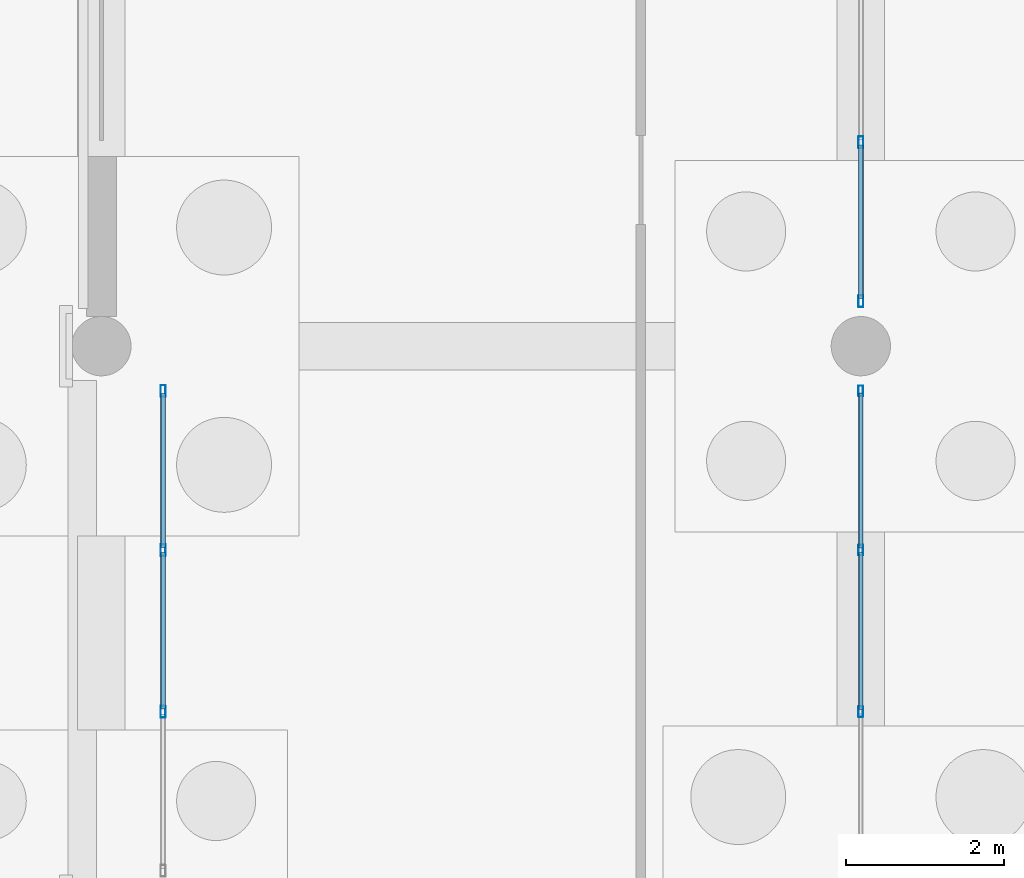
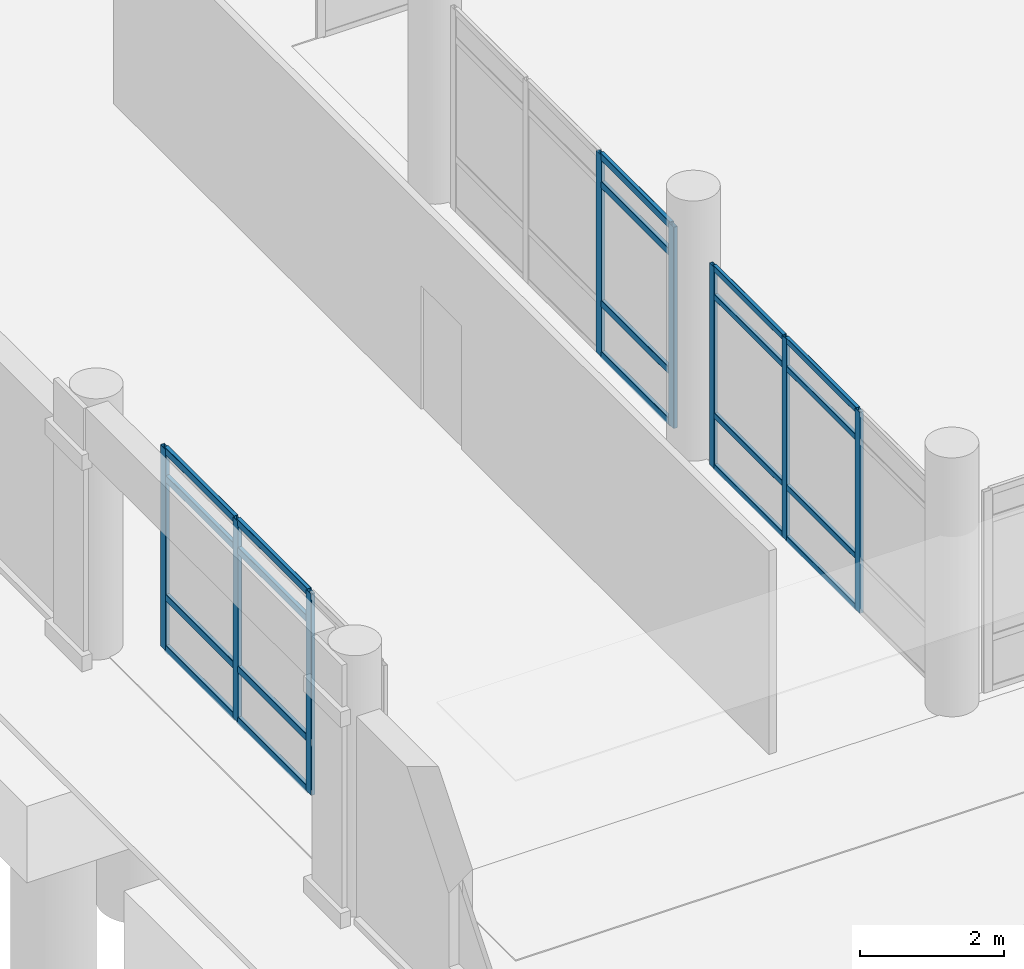
# One storey, part 91 of 196: 28 members, 3 elements without a shape of their own.
"""IFC4 building model written with IfcOpenShell, lengths in metres."""

import ifcopenshell
import ifcopenshell.guid

model = None  # the IFC model being written
_history = None  # IfcOwnerHistory: only IFC2X3 demands one
_inside = {}  # id of a spatial element -> (the spatial element, [elements in it])
_under = {}  # id of a project, library or spatial element -> (it, [spatial elements below it])
_declared = {}  # id of a project -> (the project, [libraries it declares])
_typed = {}  # id of a type object -> (the type object, [elements of that type])
_made_of = {}  # id of a material, layer set ... -> (it, [elements and type objects made of it])


def new_model(schema):
    """Start an empty IFC model of exactly this schema.

    Asked for "IFC4X3", IfcOpenShell would pick the latest addendum, in which some entities
    have other attributes; the version numbers below select the first issue.
    IFC2X3 requires an IfcOwnerHistory on every rooted entity: one is made here for all.
    """
    global model, _history
    if schema == "IFC4X3":
        model = ifcopenshell.file(schema_version=(4, 3, 0, 0))
    else:
        model = ifcopenshell.file(schema=schema)
    _inside.clear()
    _under.clear()
    _declared.clear()
    _typed.clear()
    _made_of.clear()
    _history = None
    if model.schema == "IFC2X3":
        org = make("IfcOrganization", Name="unknown")
        user = make(
            "IfcPersonAndOrganization",
            ThePerson=make("IfcPerson", FamilyName="unknown"),
            TheOrganization=org,
        )
        app = make(
            "IfcApplication",
            ApplicationDeveloper=org,
            Version="unknown",
            ApplicationFullName="unknown",
            ApplicationIdentifier="unknown",
        )
        _history = make(
            "IfcOwnerHistory",
            OwningUser=user,
            OwningApplication=app,
            ChangeAction="ADDED",
            CreationDate=0,
        )
    return model


def make(cls, **values):
    """One entity of the class cls with the attributes given. An attribute that is None is left unset."""
    return model.create_entity(
        cls, **{name: value for name, value in values.items() if value is not None}
    )


def rooted(cls, **values):
    """An entity with a GlobalId (a new one), such as an element, a storey or a relation."""
    return make(cls, GlobalId=ifcopenshell.guid.new(), OwnerHistory=_history, **values)


def si_unit(unit_type, name, prefix=None):
    """IfcSIUnit, for example si_unit("LENGTHUNIT", "METRE", prefix="MILLI")."""
    return make("IfcSIUnit", UnitType=unit_type, Prefix=prefix, Name=name)


def assignment(units):
    """IfcUnitAssignment: the units of a project."""
    return None if units is None else make("IfcUnitAssignment", Units=units)


def point(xyz):
    """IfcCartesianPoint."""
    return None if xyz is None else make("IfcCartesianPoint", Coordinates=xyz)


def direction(xyz):
    """IfcDirection."""
    return None if xyz is None else make("IfcDirection", DirectionRatios=xyz)


def frame(location, z_axis=None, x_axis=None):
    """IfcAxis2Placement3D, a coordinate frame: its origin and axes. An axis left out is left unset."""
    return make(
        "IfcAxis2Placement3D",
        Location=point(location),
        Axis=direction(z_axis),
        RefDirection=direction(x_axis),
    )


def frame_2d(location, x_axis=None):
    """IfcAxis2Placement2D, a coordinate frame in the plane: its origin and x axis."""
    return make(
        "IfcAxis2Placement2D", Location=point(location), RefDirection=direction(x_axis)
    )


def origin():
    """The frame at (0, 0, 0) with its axes left unset."""
    return frame((0.0, 0.0, 0.0))


def origin_2d():
    """The frame at (0, 0) in the plane with its x axis left unset."""
    return frame_2d((0.0, 0.0))


def place(relative_to, where):
    """IfcLocalPlacement: puts the frame where relative to a parent placement (None: the world)."""
    return make(
        "IfcLocalPlacement", PlacementRelTo=relative_to, RelativePlacement=where
    )


def context(
    kind, dimensions, precision=None, world=None, true_north=None, identifier=None
):
    """IfcGeometricRepresentationContext, for example the 3D "Model" context."""
    return make(
        "IfcGeometricRepresentationContext",
        ContextIdentifier=identifier,
        ContextType=kind,
        CoordinateSpaceDimension=dimensions,
        Precision=precision,
        WorldCoordinateSystem=world,
        TrueNorth=true_north,
    )


def subcontext(parent, identifier, kind, view, scale=None):
    """IfcGeometricRepresentationSubContext, for example "Body" below "Model"."""
    return make(
        "IfcGeometricRepresentationSubContext",
        ContextIdentifier=identifier,
        ContextType=kind,
        ParentContext=parent,
        TargetScale=scale,
        TargetView=view,
    )


def project(units=None, contexts=None):
    """IfcProject with its units and contexts."""
    return rooted(
        "IfcProject",
        Name="project",
        RepresentationContexts=contexts,
        UnitsInContext=assignment(units),
    )


def spatial(cls, under=None, at=None, **own):
    """A site, building, storey or space (cls), placed at a placement, below another one or the project."""
    s = rooted(cls, ObjectPlacement=at, **own)
    if under is not None:
        _under.setdefault(under.id(), (under, []))[1].append(s)
    return s


def profile(cls, at=None, kind="AREA", **sizes):
    """A parametric profile (cls). Its sizes go by their IFC names, for example OverallWidth=200.0."""
    return make(cls, ProfileType=kind, Position=at, **sizes)


def hollow_rectangle(**sizes):
    """IfcRectangleHollowProfileDef."""
    return profile("IfcRectangleHollowProfileDef", **sizes)


def extrude(swept, where, along, depth):
    """IfcExtrudedAreaSolid: the profile swept, set in the frame where, extruded along a direction by depth."""
    return make(
        "IfcExtrudedAreaSolid",
        SweptArea=swept,
        Position=where,
        ExtrudedDirection=direction(along),
        Depth=depth,
    )


def shape(context_of_items, identifier, shape_type, items):
    """IfcShapeRepresentation: the items that make up one representation, for example the "Body"."""
    return make(
        "IfcShapeRepresentation",
        ContextOfItems=context_of_items,
        RepresentationIdentifier=identifier,
        RepresentationType=shape_type,
        Items=items,
    )


def material(Name=None, Category=None):
    """IfcMaterial."""
    return make("IfcMaterial", Name=Name, Category=Category)


def layer(
    of_material, thickness, ventilated=None, Name=None, Category=None, Priority=None
):
    """IfcMaterialLayer: one layer of a wall or slab, of a material (None: an air gap)."""
    return make(
        "IfcMaterialLayer",
        Material=of_material,
        LayerThickness=thickness,
        IsVentilated=ventilated,
        Name=Name,
        Category=Category,
        Priority=Priority,
    )


def layer_set(layers, Name=None):
    """IfcMaterialLayerSet."""
    return make("IfcMaterialLayerSet", MaterialLayers=layers, LayerSetName=Name)


def material_profile(
    of_material, cross_section, Name=None, Category=None, Priority=None
):
    """IfcMaterialProfile: a cross section and its material."""
    return make(
        "IfcMaterialProfile",
        Name=Name,
        Material=of_material,
        Profile=cross_section,
        Priority=Priority,
        Category=Category,
    )


def profile_set(profiles, Name=None, composite=None):
    """IfcMaterialProfileSet."""
    return make(
        "IfcMaterialProfileSet",
        Name=Name,
        MaterialProfiles=profiles,
        CompositeProfile=composite,
    )


def made_of(thing, what):
    """Note that an element or type object is made of a material, layer set ...; save() writes the relation."""
    if what is not None:
        _made_of.setdefault(what.id(), (what, []))[1].append(thing)
    return thing


def type_object(cls, material=None, **own):
    """A type object (cls), such as IfcWallType, which elements share."""
    return made_of(rooted(cls, **own), material)


def element(
    cls,
    number,
    at=None,
    inside=None,
    cuts=None,
    type_object=None,
    material=None,
    context=None,
    identifier="Body",
    shape_type=None,
    held_by="IfcProductDefinitionShape",
    body=None,
    shapes=None,
    **own,
):
    """One element of the class cls, such as IfcWall. Its Tag is "e" and its number.

    at: its placement. inside: the storey or other place that contains it. cuts: it is an
    opening in that element (IfcRelVoidsElement). A single representation is given by context,
    identifier, shape_type and body (its items); several are given by shapes. held_by: the class
    of the entity that holds the representations. save() writes the other relations.
    """
    e = rooted(cls, Tag="e%d" % number, ObjectPlacement=at, **own)
    if body is not None:
        shapes = [shape(context, identifier, shape_type, body)]
    if shapes is not None:
        e.Representation = make(held_by, Representations=shapes)
    if inside is not None:
        _inside.setdefault(inside.id(), (inside, []))[1].append(e)
    if cuts is not None:
        rooted(
            "IfcRelVoidsElement", RelatingBuildingElement=cuts, RelatedOpeningElement=e
        )
    if type_object is not None:
        _typed.setdefault(type_object.id(), (type_object, []))[1].append(e)
    return made_of(e, material)


def aggregate(whole, parts):
    """IfcRelAggregates: a whole, such as a stair, and the parts it consists of."""
    return rooted("IfcRelAggregates", RelatingObject=whole, RelatedObjects=parts)


def save(model, path):
    """Write the relations noted so far, then the file.

    IfcRelAggregates (storeys below a building ...), IfcRelContainedInSpatialStructure (elements
    in a storey), IfcRelDefinesByType, IfcRelAssociatesMaterial and IfcRelDeclares: one each for
    every whole, place, type object, material and project.
    """
    for whole, parts in _under.values():
        aggregate(whole, parts)
    for where, things in _inside.values():
        rooted(
            "IfcRelContainedInSpatialStructure",
            RelatedElements=things,
            RelatingStructure=where,
        )
    for kind, things in _typed.values():
        rooted("IfcRelDefinesByType", RelatedObjects=things, RelatingType=kind)
    for what, things in _made_of.values():
        rooted("IfcRelAssociatesMaterial", RelatedObjects=things, RelatingMaterial=what)
    for by, libraries in _declared.values():
        rooted("IfcRelDeclares", RelatingContext=by, RelatedDefinitions=libraries)
    model.write(path)


model = new_model("IFC4")

# Units and contexts
model_context = context("Model", 3, precision=1e-05, world=origin(), true_north=direction((0.0, 1.0)))
body_context = subcontext(model_context, "Body", "Model", "MODEL_VIEW")
ifc_project = project(units=[si_unit("LENGTHUNIT", "METRE"), si_unit("AREAUNIT", "SQUARE_METRE"), si_unit("VOLUMEUNIT", "CUBIC_METRE"), si_unit("PLANEANGLEUNIT", "RADIAN"), si_unit("MASSUNIT", "GRAM", prefix="KILO")], contexts=[model_context])

# Site, building, storey
site_placement = place(None, origin())
site = spatial("IfcSite", under=ifc_project, at=site_placement, CompositionType="ELEMENT")
building_placement = place(site_placement, origin())
building = spatial("IfcBuilding", under=site, at=building_placement, Name="Asteropetra Specialist Clinic", CompositionType="ELEMENT")
storey_placement = place(building_placement, origin())
storey = spatial("IfcBuildingStorey", under=building, at=storey_placement, Name="L00", CompositionType="ELEMENT", Elevation=0.0)

# Curtain wall, members
ifc_material_1 = material(Name="Aluminium and low-E glass", Category="aluminium")
ifc_layer_1 = layer(ifc_material_1, 0.179931640625)
ifc_layer_set_1 = layer_set([ifc_layer_1], Name="Aluminium and low-E glass")
curtain_wall_type_1 = type_object("IfcCurtainWallType", Name="CW-SYS-04", PredefinedType="USERDEFINED", material=ifc_layer_set_1)
curtain_wall_1_placement = place(storey_placement, origin())
curtain_wall_1 = element("IfcCurtainWall", 1, at=curtain_wall_1_placement, inside=storey, type_object=curtain_wall_type_1, Name="Curtain Wall CW-005", ObjectType="UNITISED CURTAIN WALL", PredefinedType="USERDEFINED")
ifc_material_2 = material(Name="Aluminium 6063-T6", Category="aluminium")
ifc_material_profile_1 = material_profile(ifc_material_2, hollow_rectangle(XDim=0.06005859375, YDim=0.135009765625, WallThickness=0.00341796875, InnerFilletRadius=0.00341796875, OuterFilletRadius=0.007080078125, at=origin_2d()), Name="MUL 135x60x3.5")
ifc_profile_set_1 = profile_set([ifc_material_profile_1], Name="Aluminium 6063-T6")
member_type_1 = type_object("IfcMemberType", Name="CWM-135x60", PredefinedType="MULLION", material=ifc_profile_set_1)
member_1_placement = place(storey_placement, frame((9.60009765625, 83.43505859375, 0.0), z_axis=(0.0, 0.0, 1.0), x_axis=(1.0, 0.0, 0.0)))
member_1 = element("IfcMember", 2, at=member_1_placement, type_object=member_type_1, Name="CW-005 mullion 1", PredefinedType="MULLION", context=body_context, shape_type="SweptSolid", body=[
    extrude(hollow_rectangle(XDim=0.06005859375, YDim=0.135009765625, WallThickness=0.00341796875, InnerFilletRadius=0.00341796875, OuterFilletRadius=0.007080078125, at=origin_2d()), origin(), (0.0, 0.0, 1.0), 3.419921875),
])
member_2_placement = place(storey_placement, frame((9.60009765625, 81.421630859375, 0.0), z_axis=(0.0, 0.0, 1.0), x_axis=(1.0, 0.0, 0.0)))
member_2 = element("IfcMember", 3, at=member_2_placement, type_object=member_type_1, Name="CW-005 mullion 2", PredefinedType="MULLION", context=body_context, shape_type="SweptSolid", body=[
    extrude(hollow_rectangle(XDim=0.06005859375, YDim=0.135009765625, WallThickness=0.00341796875, InnerFilletRadius=0.00341796875, OuterFilletRadius=0.007080078125, at=origin_2d()), origin(), (0.0, 0.0, 1.0), 3.419921875),
])
member_3_placement = place(storey_placement, frame((9.60009765625, 79.37841796875, 0.0), z_axis=(0.0, 0.0, 1.0), x_axis=(1.0, 0.0, 0.0)))
member_3 = element("IfcMember", 4, at=member_3_placement, type_object=member_type_1, Name="CW-005 mullion 3", PredefinedType="MULLION", context=body_context, shape_type="SweptSolid", body=[
    extrude(hollow_rectangle(XDim=0.06005859375, YDim=0.135009765625, WallThickness=0.00341796875, InnerFilletRadius=0.00341796875, OuterFilletRadius=0.007080078125, at=origin_2d()), origin(), (0.0, 0.0, 1.0), 3.419921875),
])

ifc_material_3 = material(Name="Aluminium and low-E glass", Category="aluminium")
ifc_layer_2 = layer(ifc_material_3, 0.14990234375)
ifc_layer_set_2 = layer_set([ifc_layer_2], Name="Aluminium and low-E glass")
curtain_wall_type_2 = type_object("IfcCurtainWallType", Name="CW-SYS-05", PredefinedType="USERDEFINED", material=ifc_layer_set_2)
curtain_wall_2_placement = place(storey_placement, origin())
curtain_wall_2 = element("IfcCurtainWall", 5, at=curtain_wall_2_placement, inside=storey, type_object=curtain_wall_type_2, Name="Curtain Wall CW-007", ObjectType="UNITISED CURTAIN WALL", PredefinedType="USERDEFINED")
ifc_material_4 = material(Name="Aluminium 6063-T6", Category="aluminium")
ifc_material_profile_2 = material_profile(ifc_material_4, hollow_rectangle(XDim=0.06494140625, YDim=0.14990234375, WallThickness=0.00390625, InnerFilletRadius=0.00390625, OuterFilletRadius=0.008056640625, at=origin_2d()), Name="MUL 150x65x4.0")
ifc_profile_set_2 = profile_set([ifc_material_profile_2], Name="Aluminium 6063-T6")
member_type_2 = type_object("IfcMemberType", Name="CWM-150x65", PredefinedType="MULLION", material=ifc_profile_set_2)
member_4_placement = place(storey_placement, frame((9.60009765625, 86.578369140625, 0.0), z_axis=(0.0, 0.0, 1.0), x_axis=(1.0, 0.0, 0.0)))
member_4 = element("IfcMember", 6, at=member_4_placement, type_object=member_type_2, Name="CW-007 mullion 3", PredefinedType="MULLION", context=body_context, shape_type="SweptSolid", body=[
    extrude(hollow_rectangle(XDim=0.06494140625, YDim=0.14990234375, WallThickness=0.00390625, InnerFilletRadius=0.00390625, OuterFilletRadius=0.008056640625, at=origin_2d()), origin(), (0.0, 0.0, 1.0), 3.419921875),
])
member_5_placement = place(storey_placement, frame((9.60009765625, 84.5673828125, 0.0), z_axis=(0.0, 0.0, 1.0), x_axis=(1.0, 0.0, 0.0)))
member_5 = element("IfcMember", 7, at=member_5_placement, type_object=member_type_2, Name="CW-007 mullion 4", PredefinedType="MULLION", context=body_context, shape_type="SweptSolid", body=[
    extrude(hollow_rectangle(XDim=0.06494140625, YDim=0.14990234375, WallThickness=0.00390625, InnerFilletRadius=0.00390625, OuterFilletRadius=0.008056640625, at=origin_2d()), origin(), (0.0, 0.0, 1.0), 3.419921875),
])

ifc_material_5 = material(Name="Aluminium and low-E glass", Category="aluminium")
ifc_layer_3 = layer(ifc_material_5, 0.179931640625)
ifc_layer_set_3 = layer_set([ifc_layer_3], Name="Aluminium and low-E glass")
curtain_wall_type_3 = type_object("IfcCurtainWallType", Name="CW-SYS-10", PredefinedType="USERDEFINED", material=ifc_layer_set_3)
curtain_wall_3_placement = place(storey_placement, origin())
curtain_wall_3 = element("IfcCurtainWall", 8, at=curtain_wall_3_placement, inside=storey, type_object=curtain_wall_type_3, Name="Curtain Wall CW-187", ObjectType="STICK GLAZED COLONNADE", PredefinedType="USERDEFINED")
member_6_placement = place(storey_placement, frame((0.780029296875, 83.4326171875, 0.0), z_axis=(0.0, 0.0, 1.0), x_axis=(1.0, 0.0, 0.0)))
member_6 = element("IfcMember", 9, at=member_6_placement, type_object=member_type_2, Name="CW-187 mullion 1", PredefinedType="MULLION", context=body_context, shape_type="SweptSolid", body=[
    extrude(hollow_rectangle(XDim=0.06494140625, YDim=0.14990234375, WallThickness=0.00390625, InnerFilletRadius=0.00390625, OuterFilletRadius=0.008056640625, at=origin_2d()), origin(), (0.0, 0.0, 1.0), 3.419921875),
])
member_7_placement = place(storey_placement, frame((0.780029296875, 81.421630859375, 0.0), z_axis=(0.0, 0.0, 1.0), x_axis=(1.0, 0.0, 0.0)))
member_7 = element("IfcMember", 10, at=member_7_placement, type_object=member_type_2, Name="CW-187 mullion 2", PredefinedType="MULLION", context=body_context, shape_type="SweptSolid", body=[
    extrude(hollow_rectangle(XDim=0.06494140625, YDim=0.14990234375, WallThickness=0.00390625, InnerFilletRadius=0.00390625, OuterFilletRadius=0.008056640625, at=origin_2d()), origin(), (0.0, 0.0, 1.0), 3.419921875),
])
member_8_placement = place(storey_placement, frame((0.780029296875, 79.37841796875, 0.0), z_axis=(0.0, 0.0, 1.0), x_axis=(1.0, 0.0, 0.0)))
member_8 = element("IfcMember", 11, at=member_8_placement, type_object=member_type_2, Name="CW-187 mullion 3", PredefinedType="MULLION", context=body_context, shape_type="SweptSolid", body=[
    extrude(hollow_rectangle(XDim=0.06494140625, YDim=0.14990234375, WallThickness=0.00390625, InnerFilletRadius=0.00390625, OuterFilletRadius=0.008056640625, at=origin_2d()), origin(), (0.0, 0.0, 1.0), 3.419921875),
])

# Member
ifc_material_6 = material(Name="Aluminium 6063-T6", Category="aluminium")
ifc_material_profile_3 = material_profile(ifc_material_6, hollow_rectangle(XDim=0.06005859375, YDim=0.10009765625, WallThickness=0.00341796875, InnerFilletRadius=0.00341796875, OuterFilletRadius=0.007080078125, at=origin_2d()), Name="TRN 100x60x3.5")
ifc_profile_set_3 = profile_set([ifc_material_profile_3], Name="Aluminium 6063-T6")
member_type_3 = type_object("IfcMemberType", Name="CWT-100x60", PredefinedType="USERDEFINED", material=ifc_profile_set_3)
member_9_placement = place(storey_placement, frame((9.60009765625, 83.405029296875, 0.030029296875), z_axis=(0.0, -1.0, 0.0), x_axis=(1.0, 0.0, 0.0)))
member_9 = element("IfcMember", 12, at=member_9_placement, type_object=member_type_3, Name="CW-005 transom 1.1", ObjectType="TRANSOM", PredefinedType="USERDEFINED", context=body_context, shape_type="SweptSolid", body=[
    extrude(hollow_rectangle(XDim=0.06005859375, YDim=0.10009765625, WallThickness=0.00341796875, InnerFilletRadius=0.00341796875, OuterFilletRadius=0.007080078125, at=origin_2d()), origin(), (0.0, 0.0, 1.0), 1.953369140625),
])

member_10_placement = place(storey_placement, frame((9.60009765625, 83.405029296875, 0.89990234375), z_axis=(0.0, -1.0, 0.0), x_axis=(1.0, 0.0, 0.0)))
member_10 = element("IfcMember", 13, at=member_10_placement, type_object=member_type_3, Name="CW-005 transom 1.2", ObjectType="TRANSOM", PredefinedType="USERDEFINED", context=body_context, shape_type="SweptSolid", body=[
    extrude(hollow_rectangle(XDim=0.06005859375, YDim=0.10009765625, WallThickness=0.00341796875, InnerFilletRadius=0.00341796875, OuterFilletRadius=0.007080078125, at=origin_2d()), origin(), (0.0, 0.0, 1.0), 1.953369140625),
])

member_11_placement = place(storey_placement, frame((9.60009765625, 83.405029296875, 2.919921875), z_axis=(0.0, -1.0, 0.0), x_axis=(1.0, 0.0, 0.0)))
member_11 = element("IfcMember", 14, at=member_11_placement, type_object=member_type_3, Name="CW-005 transom 1.3", ObjectType="TRANSOM", PredefinedType="USERDEFINED", context=body_context, shape_type="SweptSolid", body=[
    extrude(hollow_rectangle(XDim=0.06005859375, YDim=0.10009765625, WallThickness=0.00341796875, InnerFilletRadius=0.00341796875, OuterFilletRadius=0.007080078125, at=origin_2d()), origin(), (0.0, 0.0, 1.0), 1.953369140625),
])

member_12_placement = place(storey_placement, frame((9.60009765625, 83.405029296875, 3.389892578125), z_axis=(0.0, -1.0, 0.0), x_axis=(1.0, 0.0, 0.0)))
member_12 = element("IfcMember", 15, at=member_12_placement, type_object=member_type_3, Name="CW-005 transom 1.4", ObjectType="TRANSOM", PredefinedType="USERDEFINED", context=body_context, shape_type="SweptSolid", body=[
    extrude(hollow_rectangle(XDim=0.06005859375, YDim=0.10009765625, WallThickness=0.00341796875, InnerFilletRadius=0.00341796875, OuterFilletRadius=0.007080078125, at=origin_2d()), origin(), (0.0, 0.0, 1.0), 1.953369140625),
])

member_13_placement = place(storey_placement, frame((9.60009765625, 81.3916015625, 0.030029296875), z_axis=(0.0, -1.0, 0.0), x_axis=(1.0, 0.0, 0.0)))
member_13 = element("IfcMember", 16, at=member_13_placement, type_object=member_type_3, Name="CW-005 transom 2.1", ObjectType="TRANSOM", PredefinedType="USERDEFINED", context=body_context, shape_type="SweptSolid", body=[
    extrude(hollow_rectangle(XDim=0.06005859375, YDim=0.10009765625, WallThickness=0.00341796875, InnerFilletRadius=0.00341796875, OuterFilletRadius=0.007080078125, at=origin_2d()), origin(), (0.0, 0.0, 1.0), 1.983154296875),
])

member_14_placement = place(storey_placement, frame((9.60009765625, 81.3916015625, 0.89990234375), z_axis=(0.0, -1.0, 0.0), x_axis=(1.0, 0.0, 0.0)))
member_14 = element("IfcMember", 17, at=member_14_placement, type_object=member_type_3, Name="CW-005 transom 2.2", ObjectType="TRANSOM", PredefinedType="USERDEFINED", context=body_context, shape_type="SweptSolid", body=[
    extrude(hollow_rectangle(XDim=0.06005859375, YDim=0.10009765625, WallThickness=0.00341796875, InnerFilletRadius=0.00341796875, OuterFilletRadius=0.007080078125, at=origin_2d()), origin(), (0.0, 0.0, 1.0), 1.983154296875),
])

member_15_placement = place(storey_placement, frame((9.60009765625, 81.3916015625, 2.919921875), z_axis=(0.0, -1.0, 0.0), x_axis=(1.0, 0.0, 0.0)))
member_15 = element("IfcMember", 18, at=member_15_placement, type_object=member_type_3, Name="CW-005 transom 2.3", ObjectType="TRANSOM", PredefinedType="USERDEFINED", context=body_context, shape_type="SweptSolid", body=[
    extrude(hollow_rectangle(XDim=0.06005859375, YDim=0.10009765625, WallThickness=0.00341796875, InnerFilletRadius=0.00341796875, OuterFilletRadius=0.007080078125, at=origin_2d()), origin(), (0.0, 0.0, 1.0), 1.983154296875),
])

member_16_placement = place(storey_placement, frame((9.60009765625, 81.3916015625, 3.389892578125), z_axis=(0.0, -1.0, 0.0), x_axis=(1.0, 0.0, 0.0)))
member_16 = element("IfcMember", 19, at=member_16_placement, type_object=member_type_3, Name="CW-005 transom 2.4", ObjectType="TRANSOM", PredefinedType="USERDEFINED", context=body_context, shape_type="SweptSolid", body=[
    extrude(hollow_rectangle(XDim=0.06005859375, YDim=0.10009765625, WallThickness=0.00341796875, InnerFilletRadius=0.00341796875, OuterFilletRadius=0.007080078125, at=origin_2d()), origin(), (0.0, 0.0, 1.0), 1.983154296875),
])

aggregate(curtain_wall_1, [member_1, member_2, member_3, member_9, member_10, member_11, member_12, member_13, member_14, member_15, member_16])

ifc_material_7 = material(Name="Aluminium 6063-T6", Category="aluminium")
ifc_material_profile_4 = material_profile(ifc_material_7, hollow_rectangle(XDim=0.06494140625, YDim=0.1201171875, WallThickness=0.00390625, InnerFilletRadius=0.00390625, OuterFilletRadius=0.008056640625, at=origin_2d()), Name="TRN 120x65x4.0")
ifc_profile_set_4 = profile_set([ifc_material_profile_4], Name="Aluminium 6063-T6")
member_type_4 = type_object("IfcMemberType", Name="CWT-120x65", PredefinedType="USERDEFINED", material=ifc_profile_set_4)
member_17_placement = place(storey_placement, frame((9.60009765625, 86.5458984375, 0.032470703125), z_axis=(0.0, -1.0, 0.0), x_axis=(1.0, 0.0, 0.0)))
member_17 = element("IfcMember", 20, at=member_17_placement, type_object=member_type_4, Name="CW-007 transom 3.1", ObjectType="TRANSOM", PredefinedType="USERDEFINED", context=body_context, shape_type="SweptSolid", body=[
    extrude(hollow_rectangle(XDim=0.06494140625, YDim=0.1201171875, WallThickness=0.00390625, InnerFilletRadius=0.00390625, OuterFilletRadius=0.008056640625, at=origin_2d()), origin(), (0.0, 0.0, 1.0), 1.94580078125),
])

member_18_placement = place(storey_placement, frame((9.60009765625, 86.5458984375, 0.89990234375), z_axis=(0.0, -1.0, 0.0), x_axis=(1.0, 0.0, 0.0)))
member_18 = element("IfcMember", 21, at=member_18_placement, type_object=member_type_4, Name="CW-007 transom 3.2", ObjectType="TRANSOM", PredefinedType="USERDEFINED", context=body_context, shape_type="SweptSolid", body=[
    extrude(hollow_rectangle(XDim=0.06494140625, YDim=0.1201171875, WallThickness=0.00390625, InnerFilletRadius=0.00390625, OuterFilletRadius=0.008056640625, at=origin_2d()), origin(), (0.0, 0.0, 1.0), 1.94580078125),
])

member_19_placement = place(storey_placement, frame((9.60009765625, 86.5458984375, 2.919921875), z_axis=(0.0, -1.0, 0.0), x_axis=(1.0, 0.0, 0.0)))
member_19 = element("IfcMember", 22, at=member_19_placement, type_object=member_type_4, Name="CW-007 transom 3.3", ObjectType="TRANSOM", PredefinedType="USERDEFINED", context=body_context, shape_type="SweptSolid", body=[
    extrude(hollow_rectangle(XDim=0.06494140625, YDim=0.1201171875, WallThickness=0.00390625, InnerFilletRadius=0.00390625, OuterFilletRadius=0.008056640625, at=origin_2d()), origin(), (0.0, 0.0, 1.0), 1.94580078125),
])

member_20_placement = place(storey_placement, frame((9.60009765625, 86.5458984375, 3.387451171875), z_axis=(0.0, -1.0, 0.0), x_axis=(1.0, 0.0, 0.0)))
member_20 = element("IfcMember", 23, at=member_20_placement, type_object=member_type_4, Name="CW-007 transom 3.4", ObjectType="TRANSOM", PredefinedType="USERDEFINED", context=body_context, shape_type="SweptSolid", body=[
    extrude(hollow_rectangle(XDim=0.06494140625, YDim=0.1201171875, WallThickness=0.00390625, InnerFilletRadius=0.00390625, OuterFilletRadius=0.008056640625, at=origin_2d()), origin(), (0.0, 0.0, 1.0), 1.94580078125),
])

aggregate(curtain_wall_2, [member_4, member_5, member_17, member_18, member_19, member_20])

member_21_placement = place(storey_placement, frame((0.780029296875, 83.39990234375, 0.032470703125), z_axis=(0.0, -1.0, 0.0), x_axis=(1.0, 0.0, 0.0)))
member_21 = element("IfcMember", 24, at=member_21_placement, type_object=member_type_4, Name="CW-187 transom 1.1", ObjectType="TRANSOM", PredefinedType="USERDEFINED", context=body_context, shape_type="SweptSolid", body=[
    extrude(hollow_rectangle(XDim=0.06494140625, YDim=0.1201171875, WallThickness=0.00390625, InnerFilletRadius=0.00390625, OuterFilletRadius=0.008056640625, at=origin_2d()), origin(), (0.0, 0.0, 1.0), 1.94580078125),
])

member_22_placement = place(storey_placement, frame((0.780029296875, 83.39990234375, 0.89990234375), z_axis=(0.0, -1.0, 0.0), x_axis=(1.0, 0.0, 0.0)))
member_22 = element("IfcMember", 25, at=member_22_placement, type_object=member_type_4, Name="CW-187 transom 1.2", ObjectType="TRANSOM", PredefinedType="USERDEFINED", context=body_context, shape_type="SweptSolid", body=[
    extrude(hollow_rectangle(XDim=0.06494140625, YDim=0.1201171875, WallThickness=0.00390625, InnerFilletRadius=0.00390625, OuterFilletRadius=0.008056640625, at=origin_2d()), origin(), (0.0, 0.0, 1.0), 1.94580078125),
])

member_23_placement = place(storey_placement, frame((0.780029296875, 83.39990234375, 2.919921875), z_axis=(0.0, -1.0, 0.0), x_axis=(1.0, 0.0, 0.0)))
member_23 = element("IfcMember", 26, at=member_23_placement, type_object=member_type_4, Name="CW-187 transom 1.3", ObjectType="TRANSOM", PredefinedType="USERDEFINED", context=body_context, shape_type="SweptSolid", body=[
    extrude(hollow_rectangle(XDim=0.06494140625, YDim=0.1201171875, WallThickness=0.00390625, InnerFilletRadius=0.00390625, OuterFilletRadius=0.008056640625, at=origin_2d()), origin(), (0.0, 0.0, 1.0), 1.94580078125),
])

member_24_placement = place(storey_placement, frame((0.780029296875, 83.39990234375, 3.387451171875), z_axis=(0.0, -1.0, 0.0), x_axis=(1.0, 0.0, 0.0)))
member_24 = element("IfcMember", 27, at=member_24_placement, type_object=member_type_4, Name="CW-187 transom 1.4", ObjectType="TRANSOM", PredefinedType="USERDEFINED", context=body_context, shape_type="SweptSolid", body=[
    extrude(hollow_rectangle(XDim=0.06494140625, YDim=0.1201171875, WallThickness=0.00390625, InnerFilletRadius=0.00390625, OuterFilletRadius=0.008056640625, at=origin_2d()), origin(), (0.0, 0.0, 1.0), 1.94580078125),
])

member_25_placement = place(storey_placement, frame((0.780029296875, 81.38916015625, 0.032470703125), z_axis=(0.0, -1.0, 0.0), x_axis=(1.0, 0.0, 0.0)))
member_25 = element("IfcMember", 28, at=member_25_placement, type_object=member_type_4, Name="CW-187 transom 2.1", ObjectType="TRANSOM", PredefinedType="USERDEFINED", context=body_context, shape_type="SweptSolid", body=[
    extrude(hollow_rectangle(XDim=0.06494140625, YDim=0.1201171875, WallThickness=0.00390625, InnerFilletRadius=0.00390625, OuterFilletRadius=0.008056640625, at=origin_2d()), origin(), (0.0, 0.0, 1.0), 1.978271484375),
])

member_26_placement = place(storey_placement, frame((0.780029296875, 81.38916015625, 0.89990234375), z_axis=(0.0, -1.0, 0.0), x_axis=(1.0, 0.0, 0.0)))
member_26 = element("IfcMember", 29, at=member_26_placement, type_object=member_type_4, Name="CW-187 transom 2.2", ObjectType="TRANSOM", PredefinedType="USERDEFINED", context=body_context, shape_type="SweptSolid", body=[
    extrude(hollow_rectangle(XDim=0.06494140625, YDim=0.1201171875, WallThickness=0.00390625, InnerFilletRadius=0.00390625, OuterFilletRadius=0.008056640625, at=origin_2d()), origin(), (0.0, 0.0, 1.0), 1.978271484375),
])

member_27_placement = place(storey_placement, frame((0.780029296875, 81.38916015625, 2.919921875), z_axis=(0.0, -1.0, 0.0), x_axis=(1.0, 0.0, 0.0)))
member_27 = element("IfcMember", 30, at=member_27_placement, type_object=member_type_4, Name="CW-187 transom 2.3", ObjectType="TRANSOM", PredefinedType="USERDEFINED", context=body_context, shape_type="SweptSolid", body=[
    extrude(hollow_rectangle(XDim=0.06494140625, YDim=0.1201171875, WallThickness=0.00390625, InnerFilletRadius=0.00390625, OuterFilletRadius=0.008056640625, at=origin_2d()), origin(), (0.0, 0.0, 1.0), 1.978271484375),
])

member_28_placement = place(storey_placement, frame((0.780029296875, 81.38916015625, 3.387451171875), z_axis=(0.0, -1.0, 0.0), x_axis=(1.0, 0.0, 0.0)))
member_28 = element("IfcMember", 31, at=member_28_placement, type_object=member_type_4, Name="CW-187 transom 2.4", ObjectType="TRANSOM", PredefinedType="USERDEFINED", context=body_context, shape_type="SweptSolid", body=[
    extrude(hollow_rectangle(XDim=0.06494140625, YDim=0.1201171875, WallThickness=0.00390625, InnerFilletRadius=0.00390625, OuterFilletRadius=0.008056640625, at=origin_2d()), origin(), (0.0, 0.0, 1.0), 1.978271484375),
])

aggregate(curtain_wall_3, [member_6, member_7, member_8, member_21, member_22, member_23, member_24, member_25, member_26, member_27, member_28])

save(model, "model.ifc")
